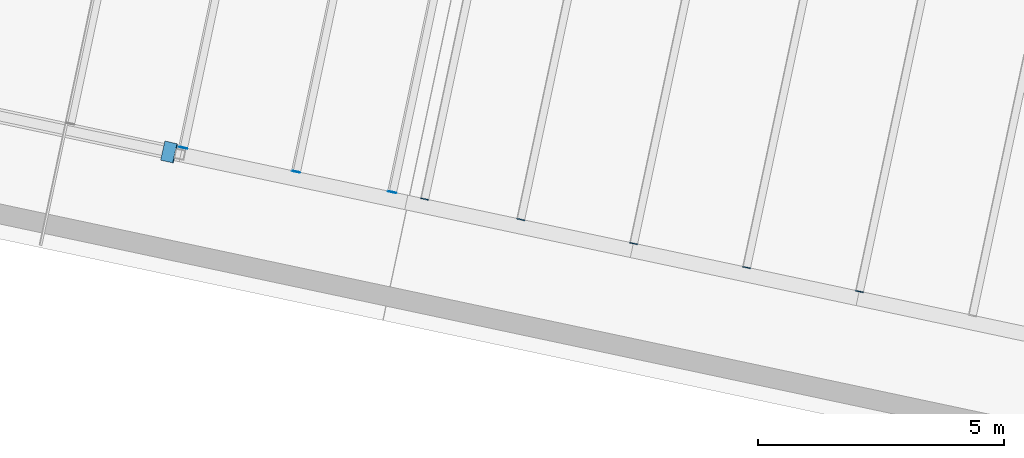
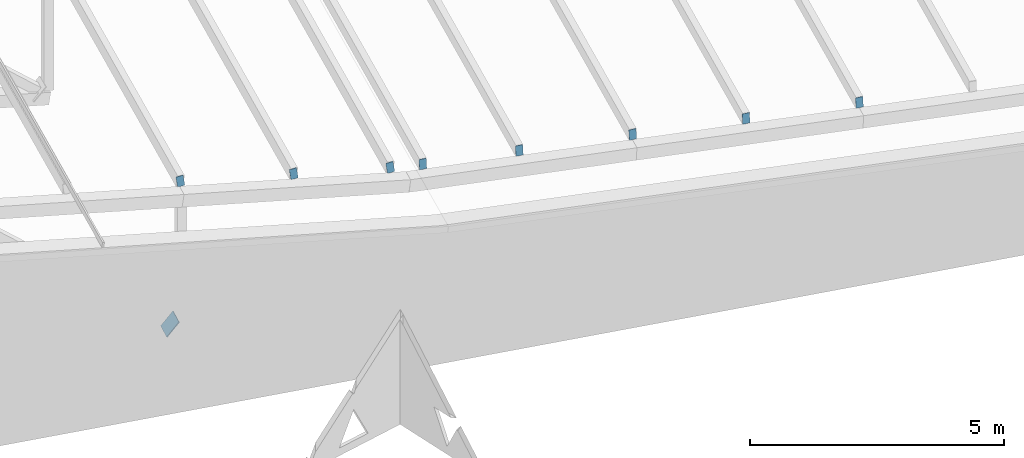
# One storey, part 150 of 196: 9 discrete accessories.
"""IFC4 building model written with IfcOpenShell, lengths in metres."""

from ifc_helpers import new_model, si_unit, direction, frame, origin, origin_2d, place, context, subcontext, project, spatial, rectangle, extrude, material, layer, layer_set, type_object, element, save


model = new_model("IFC4")

# Units and contexts
model_context = context("Model", 3, precision=1e-05, world=origin(), true_north=direction((0.0, 1.0)))
body_context = subcontext(model_context, "Body", "Model", "MODEL_VIEW")
ifc_project = project(units=[si_unit("LENGTHUNIT", "METRE"), si_unit("AREAUNIT", "SQUARE_METRE"), si_unit("VOLUMEUNIT", "CUBIC_METRE"), si_unit("PLANEANGLEUNIT", "RADIAN"), si_unit("MASSUNIT", "GRAM", prefix="KILO")], contexts=[model_context])

# Site, building, storey
site_placement = place(None, origin())
site = spatial("IfcSite", under=ifc_project, at=site_placement, CompositionType="ELEMENT")
building_placement = place(site_placement, origin())
building = spatial("IfcBuilding", under=site, at=building_placement, Name="Okhra Congress Centre", CompositionType="ELEMENT")
storey_placement = place(building_placement, frame((0.0, 0.0, 12.0)))
storey = spatial("IfcBuildingStorey", under=building, at=storey_placement, Name="L02", CompositionType="ELEMENT", Elevation=12.0)

# Discrete accessories
ifc_material = material(Name="Steel S355J2", Category="steel")
ifc_layer_1 = layer(ifc_material, 0.02001953125)
ifc_layer_set_1 = layer_set([ifc_layer_1], Name="Brace end connection plate 20 mm S355")
discrete_accessory_type_1 = type_object("IfcDiscreteAccessoryType", Name="Brace end connection plate 20 mm S355", PredefinedType="BRACKET", material=ifc_layer_set_1)
discrete_accessory_placement = place(storey_placement, frame((213.51806640625, 92.790283203125, 0.591796875), z_axis=(0.754975587422, -0.17047835845, -0.633205331387), x_axis=(0.220260871435, 0.975441002068, 0.0)))
element("IfcDiscreteAccessory", 1, at=discrete_accessory_placement, inside=storey, type_object=discrete_accessory_type_1, Name="Brace end connection plate", PredefinedType="BRACKET", context=body_context, shape_type="SweptSolid", body=[
    extrude(rectangle(XDim=0.39990234375, YDim=0.39990234375, at=origin_2d()), origin(), (0.0, 0.0, 1.0), 0.02001953125),
])
ifc_layer_2 = layer(ifc_material, 0.011962890625)
ifc_layer_set_2 = layer_set([ifc_layer_2], Name="Hollow section end cap 12 mm S355")
discrete_accessory_type_2 = type_object("IfcDiscreteAccessoryType", Name="Hollow section end cap 12 mm S355", PredefinedType="BRACKET", material=ifc_layer_set_2)
for number, where, z_axis, x_axis, name in (
    (2, (213.810302734375, 92.88134765625, 3.87646484375), (-0.223376156329, -0.974732318528, 0.0), (0.965246290609, -0.221202274931, 0.13917310096), "Hollow section end cap"),
    (3, (216.10888671875, 92.392822265625, 3.546142578125), (-0.203954254112, -0.978980419738, 0.0), (0.969453049589, -0.201969385331, 0.13917310096), "Hollow section end cap"),
    (4, (218.065185546875, 91.97705078125, 3.26513671875), (-0.203954254112, -0.978980419738, 0.0), (0.969453049589, -0.201969385331, 0.13917310096), "Hollow section end cap"),
    (5, (218.7265625, 91.83642578125, 3.199951171875), (-0.223376156329, -0.974732318528, 0.0), (0.973396481762, -0.22307002707, 0.052335956243), "Hollow section end cap"),
    (6, (220.682861328125, 91.420654296875, 3.094970703125), (-0.223376156329, -0.974732318528, 0.0), (0.973396481762, -0.22307002707, 0.052335956243), "Hollow section end cap"),
    (7, (222.9814453125, 90.93212890625, 2.971923828125), (-0.203954254112, -0.978980419738, 0.0), (0.977638761096, -0.203674741895, 0.052335956243), "Hollow section end cap"),
    (8, (225.280029296875, 90.443359375, 2.848876953125), (-0.203954254112, -0.978980419738, 0.0), (0.977638761096, -0.203674741895, 0.052335956243), "Hollow section end cap"),
    (9, (227.57861328125, 89.954833984375, 2.7255859375), (-0.203954254112, -0.978980419738, 0.0), (0.977638761096, -0.203674741895, 0.052335956243), "Hollow section end cap"),
):
    element("IfcDiscreteAccessory", number, at=place(storey_placement, frame(where, z_axis=z_axis, x_axis=x_axis)), inside=storey, type_object=discrete_accessory_type_2, Name=name, PredefinedType="BRACKET", context=body_context, shape_type="SweptSolid", body=[
        extrude(rectangle(XDim=0.14990234375, YDim=0.25, at=origin_2d()), origin(), (0.0, 0.0, 1.0), 0.011962890625),
    ])

save(model, "model.ifc")
